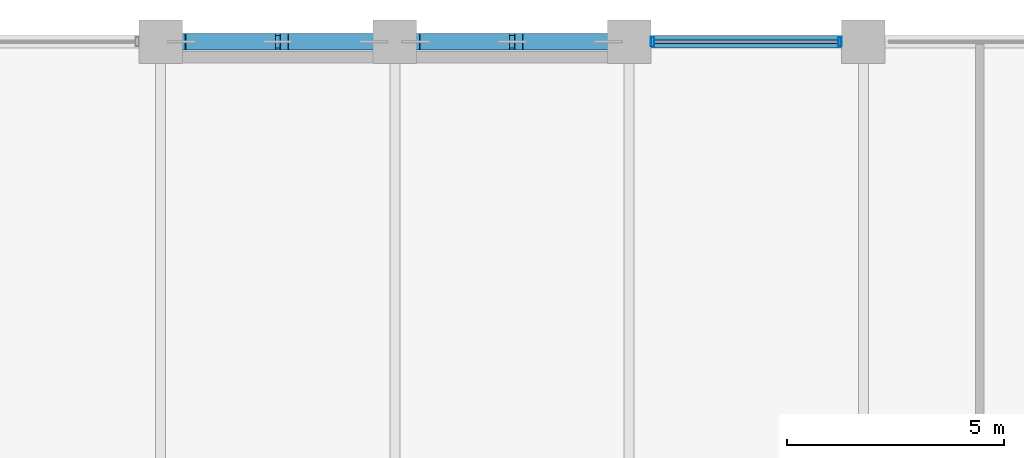
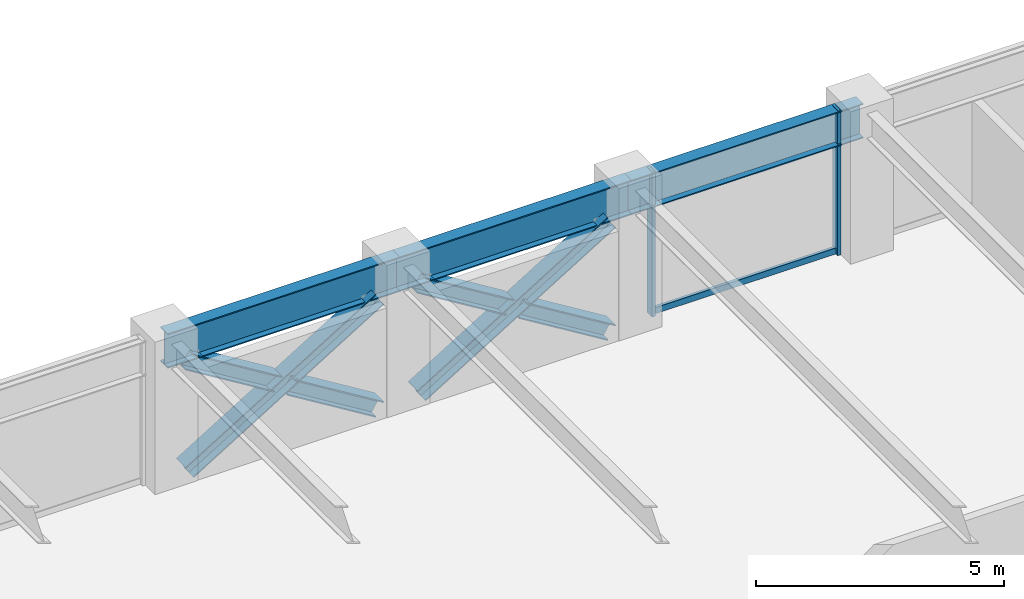
# One storey, part 18 of 29: 9 members, 3 beams, 1 element without a shape of its own.
"""IFC4 building model written with IfcOpenShell, lengths in metres."""

from ifc_helpers import new_model, si_unit, direction, frame, origin, origin_2d, place, context, subcontext, project, spatial, hollow_rectangle, i_section, extrude, material, layer, layer_set, material_profile, profile_set, type_object, element, aggregate, save


model = new_model("IFC4")

# Units and contexts
model_context = context("Model", 3, precision=1e-05, world=origin(), true_north=direction((0.0, 1.0)))
body_context = subcontext(model_context, "Body", "Model", "MODEL_VIEW")
ifc_project = project(units=[si_unit("LENGTHUNIT", "METRE"), si_unit("AREAUNIT", "SQUARE_METRE"), si_unit("VOLUMEUNIT", "CUBIC_METRE"), si_unit("PLANEANGLEUNIT", "RADIAN"), si_unit("MASSUNIT", "GRAM", prefix="KILO")], contexts=[model_context])

# Site, building, storey
site_placement = place(None, origin())
site = spatial("IfcSite", under=ifc_project, at=site_placement, CompositionType="ELEMENT")
building_placement = place(site_placement, origin())
building = spatial("IfcBuilding", under=site, at=building_placement, Name="Surkhivell Harbour Commons", CompositionType="ELEMENT")
storey_placement = place(building_placement, frame((0.0, 0.0, 150.75)))
storey = spatial("IfcBuildingStorey", under=building, at=storey_placement, Name="L39", CompositionType="ELEMENT", Elevation=150.75)

# Beams
ifc_material_1 = material(Name="Steel S460", Category="steel")
ifc_material_profile_1 = material_profile(ifc_material_1, i_section(OverallWidth=0.2939453125, OverallDepth=0.85107421875, WebThickness=0.01611328125, FlangeThickness=0.02685546875, at=origin_2d()), Name="UB838x292x226")
ifc_profile_set_1 = profile_set([ifc_material_profile_1], Name="Steel S460")
beam_type = type_object("IfcBeamType", Name="BM-SPN-838", PredefinedType="SPANDREL", material=ifc_profile_set_1)
for number, where, z_axis, x_axis, name in (
    (1, (-5.39990234375, 25.89990234375, 3.14453125), (1.0, 0.0, 0.0), (0.0, 1.0, 0.0), "L39 Tube Spandrel (-5.4,25.9)"),
    (2, (0.0, 25.89990234375, 3.14453125), (1.0, 0.0, 0.0), (0.0, 1.0, 0.0), "L39 Tube Spandrel (-0.0,25.9)"),
):
    element("IfcBeam", number, at=place(storey_placement, frame(where, z_axis=z_axis, x_axis=x_axis)), inside=storey, type_object=beam_type, Name=name, PredefinedType="SPANDREL", context=body_context, shape_type="SweptSolid", body=[
        extrude(i_section(OverallWidth=0.2939453125, OverallDepth=0.85107421875, WebThickness=0.01611328125, FlangeThickness=0.02685546875, at=origin_2d()), origin(), (0.0, 0.0, 1.0), 5.39990234375),
    ])
beam_placement = place(storey_placement, frame((5.39990234375, 25.89990234375, 3.14453125), z_axis=(1.0, 0.0, 0.0), x_axis=(0.0, 1.0, 0.0)))
element("IfcBeam", 3, at=beam_placement, inside=storey, type_object=beam_type, Name="L39 Tube Spandrel (5.4,25.9)", PredefinedType="SPANDREL", context=body_context, shape_type="SweptSolid", body=[
    extrude(i_section(OverallWidth=0.2939453125, OverallDepth=0.85107421875, WebThickness=0.01611328125, FlangeThickness=0.02685546875, at=origin_2d()), origin(), (0.0, 0.0, 1.0), 5.400146484375),
])

# Curtain wall, members
ifc_material_2 = material(Name="Anodised pale-metal aluminium and insulated glazing", Category="aluminium")
ifc_layer = layer(ifc_material_2, 0.205078125)
ifc_layer_set = layer_set([ifc_layer], Name="Anodised pale-metal aluminium and insulated glazing")
curtain_wall_type = type_object("IfcCurtainWallType", Name="CW-SYS-Z2", PredefinedType="NOTDEFINED", material=ifc_layer_set)
curtain_wall_placement = place(storey_placement, origin())
curtain_wall = element("IfcCurtainWall", 4, at=curtain_wall_placement, inside=storey, type_object=curtain_wall_type, Name="L39 Curtain Wall CW-L39-E07S1", PredefinedType="NOTDEFINED")
ifc_material_3 = material(Name="Anodised pale-metal aluminium alloy 6063-T6", Category="aluminium")
ifc_material_profile_2 = material_profile(ifc_material_3, hollow_rectangle(XDim=0.074951171875, YDim=0.219970703125, WallThickness=0.00390625, at=origin_2d()), Name="ALU-MULL-75x220")
ifc_profile_set_2 = profile_set([ifc_material_profile_2], Name="Anodised pale-metal aluminium alloy 6063-T6")
member_type_1 = type_object("IfcMemberType", Name="CWM-220", PredefinedType="MULLION", material=ifc_profile_set_2)
member_1_placement = place(storey_placement, frame((10.260498046875, 25.89990234375, 0.0), z_axis=(0.0, 0.0, 1.0), x_axis=(-1.0, 0.0, 0.0)))
member_1 = element("IfcMember", 5, at=member_1_placement, type_object=member_type_1, Name="CW-Z2 mullion 2", PredefinedType="MULLION", context=body_context, shape_type="SweptSolid", body=[
    extrude(hollow_rectangle(XDim=0.074951171875, YDim=0.219970703125, WallThickness=0.00390625, at=origin_2d()), origin(), (0.0, 0.0, 1.0), 3.570068359375),
])
member_2_placement = place(storey_placement, frame((5.939453125, 25.89990234375, 0.0), z_axis=(0.0, 0.0, 1.0), x_axis=(-1.0, 0.0, 0.0)))
member_2 = element("IfcMember", 6, at=member_2_placement, type_object=member_type_1, Name="CW-Z2 mullion 3", PredefinedType="MULLION", context=body_context, shape_type="SweptSolid", body=[
    extrude(hollow_rectangle(XDim=0.074951171875, YDim=0.219970703125, WallThickness=0.00390625, at=origin_2d()), origin(), (0.0, 0.0, 1.0), 3.570068359375),
])
ifc_material_profile_3 = material_profile(ifc_material_3, hollow_rectangle(XDim=0.074951171875, YDim=0.14990234375, WallThickness=0.00341796875, at=origin_2d()), Name="ALU-TRAN-75x150")
ifc_profile_set_3 = profile_set([ifc_material_profile_3], Name="Anodised pale-metal aluminium alloy 6063-T6")
member_type_2 = type_object("IfcMemberType", Name="CWT-150", PredefinedType="USERDEFINED", material=ifc_profile_set_3)
member_3_placement = place(storey_placement, frame((10.222900390625, 25.89990234375, 0.074951171875), z_axis=(-1.0, 0.0, 0.0), x_axis=(0.0, -1.0, 0.0)))
member_3 = element("IfcMember", 7, at=member_3_placement, type_object=member_type_2, Name="CW-Z2 transom 2.1", ObjectType="TRANSOM", PredefinedType="USERDEFINED", context=body_context, shape_type="SweptSolid", body=[
    extrude(hollow_rectangle(XDim=0.074951171875, YDim=0.14990234375, WallThickness=0.00341796875, at=origin_2d()), origin(), (0.0, 0.0, 1.0), 4.245849609375),
])
aggregate(curtain_wall, [member_1, member_2, member_3])

# Members
ifc_material_profile_4 = material_profile(ifc_material_1, i_section(OverallWidth=0.375, OverallDepth=0.375, WebThickness=0.0166015625, FlangeThickness=0.027099609375, at=origin_2d()), Name="UC356x368x202")
ifc_profile_set_4 = profile_set([ifc_material_profile_4], Name="Steel S460")
member_type_3 = type_object("IfcMemberType", Name="MEM-BRC-UC356", PredefinedType="BRACE", material=ifc_profile_set_4)
member_4_placement = place(storey_placement, frame((-4.9150390625, 25.89990234375, 0.008056640625), z_axis=(0.852624888477, 0.0, 0.522523491864), x_axis=(0.0, 1.0, 0.0)))
element("IfcMember", 8, at=member_4_placement, inside=storey, type_object=member_type_3, Name="L39 Perimeter Mega-Brace MB- 01", PredefinedType="BRACE", context=body_context, shape_type="SweptSolid", body=[
    extrude(i_section(OverallWidth=0.375, OverallDepth=0.375, WebThickness=0.0166015625, FlangeThickness=0.027099609375, at=origin_2d()), origin(), (0.0, 0.0, 1.0), 5.195556640625),
])
for number, where, z_axis, x_axis, name in (
    (9, (-0.485107421875, 25.89990234375, 0.008056640625), (-0.852589641581, 0.0, 0.522581001443), (0.0, -1.0, 0.0), "L39 Perimeter Mega-Brace MB- 02"),
    (10, (-2.853515625, 25.89990234375, 1.459716796875), (-0.852662200332, 0.0, 0.522462603567), (0.0, -1.0, 0.0), "L39 Perimeter Mega-Brace MB- 03"),
):
    element("IfcMember", number, at=place(storey_placement, frame(where, z_axis=z_axis, x_axis=x_axis)), inside=storey, type_object=member_type_3, Name=name, PredefinedType="BRACE", context=body_context, shape_type="SweptSolid", body=[
        extrude(i_section(OverallWidth=0.375, OverallDepth=0.375, WebThickness=0.0166015625, FlangeThickness=0.027099609375, at=origin_2d()), origin(), (0.0, 0.0, 1.0), 2.417724609375),
    ])
member_5_placement = place(storey_placement, frame((0.485107421875, 25.89990234375, 0.008056640625), z_axis=(0.852624888477, 0.0, 0.522523491864), x_axis=(0.0, 1.0, 0.0)))
element("IfcMember", 11, at=member_5_placement, inside=storey, type_object=member_type_3, Name="L39 Perimeter Mega-Brace MB- 04", PredefinedType="BRACE", context=body_context, shape_type="SweptSolid", body=[
    extrude(i_section(OverallWidth=0.375, OverallDepth=0.375, WebThickness=0.0166015625, FlangeThickness=0.027099609375, at=origin_2d()), origin(), (0.0, 0.0, 1.0), 5.195556640625),
])
member_6_placement = place(storey_placement, frame((4.9150390625, 25.89990234375, 0.008056640625), z_axis=(-0.852617215241, 0.0, 0.52253601242), x_axis=(0.0, -1.0, 0.0)))
element("IfcMember", 12, at=member_6_placement, inside=storey, type_object=member_type_3, Name="L39 Perimeter Mega-Brace MB- 05", PredefinedType="BRACE", context=body_context, shape_type="SweptSolid", body=[
    extrude(i_section(OverallWidth=0.375, OverallDepth=0.375, WebThickness=0.0166015625, FlangeThickness=0.027099609375, at=origin_2d()), origin(), (0.0, 0.0, 1.0), 2.41796875),
])
member_7_placement = place(storey_placement, frame((2.54638671875, 25.89990234375, 1.459716796875), z_axis=(-0.852634632964, 0.0, 0.522507591017), x_axis=(0.0, -1.0, 0.0)))
element("IfcMember", 13, at=member_7_placement, inside=storey, type_object=member_type_3, Name="L39 Perimeter Mega-Brace MB- 06", PredefinedType="BRACE", context=body_context, shape_type="SweptSolid", body=[
    extrude(i_section(OverallWidth=0.375, OverallDepth=0.375, WebThickness=0.0166015625, FlangeThickness=0.027099609375, at=origin_2d()), origin(), (0.0, 0.0, 1.0), 2.41748046875),
])

save(model, "model.ifc")
